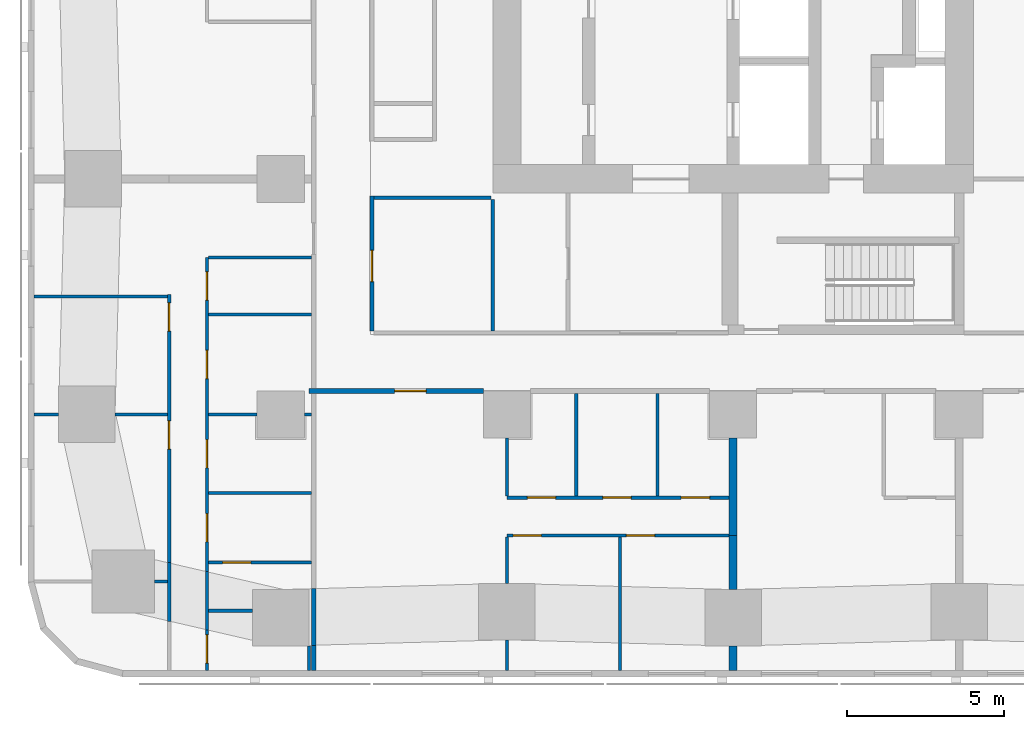
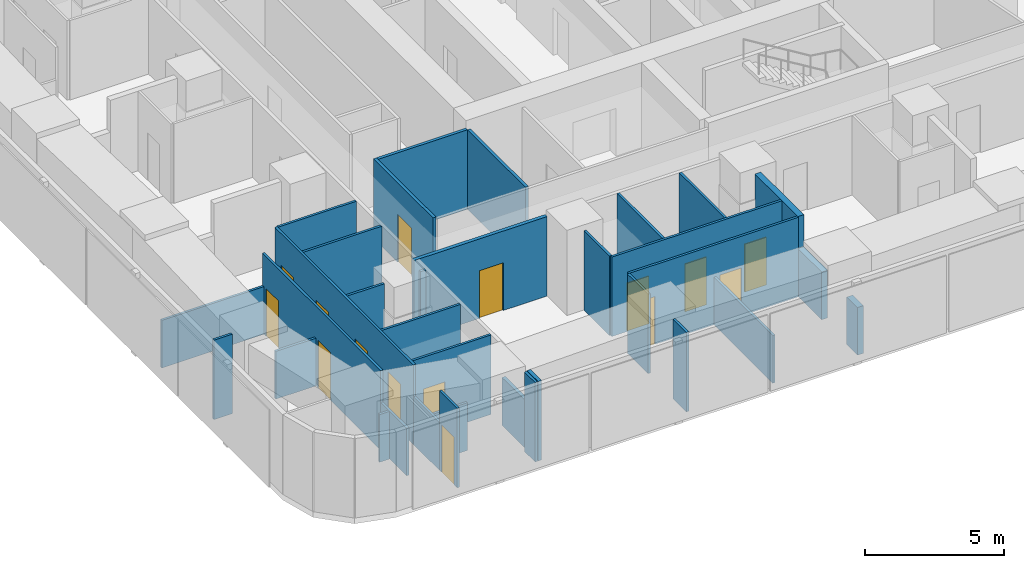
# One storey, part 2 of 15: 34 walls, 15 doors, 15 openings.
"""IFC4 building model written with IfcOpenShell, lengths in metres."""

from ifc_helpers import new_model, si_unit, direction, frame, frame_2d, origin, place, context, subcontext, project, spatial, rectangle, extrude, material, layer, layer_set, type_object, element, fill, save


model = new_model("IFC4")

# Units and contexts
model_context = context("Model", 3, precision=1e-05, world=origin(), true_north=direction((0.0, 1.0)))
body_context = subcontext(model_context, "Body", "Model", "MODEL_VIEW")
ifc_project = project(units=[si_unit("LENGTHUNIT", "METRE"), si_unit("AREAUNIT", "SQUARE_METRE"), si_unit("VOLUMEUNIT", "CUBIC_METRE"), si_unit("PLANEANGLEUNIT", "RADIAN"), si_unit("MASSUNIT", "GRAM", prefix="KILO")], contexts=[model_context])

# Site, building, storey
site_placement = place(None, origin())
site = spatial("IfcSite", under=ifc_project, at=site_placement, CompositionType="ELEMENT")
building_placement = place(site_placement, origin())
building = spatial("IfcBuilding", under=site, at=building_placement, Name="Sheger Commons Tower", CompositionType="ELEMENT")
storey_placement = place(building_placement, frame((0.0, 0.0, 177.050048828125)))
storey = spatial("IfcBuildingStorey", under=building, at=storey_placement, Name="L45", CompositionType="ELEMENT", Elevation=177.050048828125)

# Walls
ifc_material_1 = material(Name="Hollow concrete block masonry, skimmed both sides", Category="masonry")
ifc_layer_1 = layer(ifc_material_1, 0.14990234375)
ifc_layer_set_1 = layer_set([ifc_layer_1], Name="CORRIDOR WALL 150")
wall_type_1 = type_object("IfcWallType", Name="CORRIDOR WALL 150", PredefinedType="SOLIDWALL", material=ifc_layer_set_1)
wall_1_placement = place(storey_placement, frame((8.25, -0.64990234375, 0.0), z_axis=(0.0, 0.0, 1.0), x_axis=(0.0, 1.0, 0.0)))
element("IfcWall", 1, at=wall_1_placement, inside=storey, type_object=wall_type_1, Name="Corridor wall L45", PredefinedType="SOLIDWALL", context=body_context, shape_type="SweptSolid", body=[
    extrude(rectangle(XDim=0.802001953125, YDim=0.14990234375, at=frame_2d((0.40087890625, 0.0))), origin(), (0.0, 0.0, 1.0), 3.5),
])
wall_2_placement = place(storey_placement, frame((8.25, 0.152099609375, 0.0), z_axis=(0.0, 0.0, 1.0), x_axis=(0.0, 1.0, 0.0)))
element("IfcWall", 2, at=wall_2_placement, inside=storey, type_object=wall_type_1, Name="Corridor wall L45", PredefinedType="SOLIDWALL", context=body_context, shape_type="SweptSolid", body=[
    extrude(rectangle(XDim=1.804931640625, YDim=0.14990234375, at=frame_2d((0.90234375, 0.0))), origin(), (0.0, 0.0, 1.0), 2.099853515625),
])

# Wall, opening, door
wall_3_placement = place(storey_placement, frame((13.64892578125, 8.25, 0.0), z_axis=(0.0, 0.0, 1.0), x_axis=(-1.0, 0.0, 0.0)))
wall_3 = element("IfcWall", 3, at=wall_3_placement, inside=storey, type_object=wall_type_1, Name="Corridor wall L45", PredefinedType="SOLIDWALL", context=body_context, shape_type="SweptSolid", body=[
    extrude(rectangle(XDim=5.548828125, YDim=0.14990234375, at=frame_2d((2.7744140625, 0.0))), origin(), (0.0, 0.0, 1.0), 3.5),
])
opening_1_placement = place(wall_3_placement, frame((1.823974609375, 0.0, 0.0)))
opening_1 = element("IfcOpeningElement", 4, at=opening_1_placement, cuts=wall_3, Name="Opening D1", PredefinedType="OPENING", context=body_context, shape_type="SweptSolid", body=[
    extrude(rectangle(XDim=1.0, YDim=2.10009765625, at=frame_2d((0.5, 1.050048828125))), frame((0.0, 0.0849609375, 0.0), z_axis=(0.0, -1.0, 0.0), x_axis=(1.0, 0.0, 0.0)), (0.0, 0.0, 1.0), 0.169921875),
])
ifc_material_2 = material(Name="Steel door set, fire rated", Category="steel")
door_type_1 = type_object("IfcDoorType", Name="FLAT ENTRANCE DOOR 1000x2100", OperationType="NOTDEFINED", PredefinedType="DOOR", material=ifc_material_2)
door_1_placement = place(opening_1_placement, origin())
door_1 = element("IfcDoor", 5, at=door_1_placement, inside=storey, type_object=door_type_1, Name="Flat entrance door", OperationType="SINGLE_SWING_RIGHT", OverallHeight=2.10009765625, OverallWidth=1.0, PredefinedType="DOOR", context=body_context, shape_type="SweptSolid", body=[
    extrude(rectangle(XDim=1.0, YDim=2.10009765625, at=frame_2d((0.5, 1.050048828125))), frame((0.0, 0.02490234375, 0.0), z_axis=(0.0, -1.0, 0.0), x_axis=(1.0, 0.0, 0.0)), (0.0, 0.0, 1.0), 0.050048828125),
])
fill(opening_1, door_1)

# Walls
ifc_material_3 = material(Name="Dense concrete block masonry, plastered both sides (separating wall between flats)", Category="masonry")
ifc_layer_2 = layer(ifc_material_3, 0.25)
ifc_layer_set_2 = layer_set([ifc_layer_2], Name="DEMISING WALL 250")
wall_type_2 = type_object("IfcWallType", Name="DEMISING WALL 250", PredefinedType="SOLIDWALL", material=ifc_layer_set_2)
wall_4_placement = place(storey_placement, frame((21.60009765625, -0.64990234375, 0.0), z_axis=(0.0, 0.0, 1.0), x_axis=(0.0, 1.0, 0.0)))
element("IfcWall", 6, at=wall_4_placement, inside=storey, type_object=wall_type_2, Name="Demising wall L45", PredefinedType="SOLIDWALL", context=body_context, shape_type="SweptSolid", body=[
    extrude(rectangle(XDim=0.77392578125, YDim=0.25, at=frame_2d((0.386962890625, 0.0))), origin(), (0.0, 0.0, 1.0), 2.099853515625),
])
wall_5_placement = place(storey_placement, frame((21.60009765625, 1.926025390625, 0.0), z_axis=(0.0, 0.0, 1.0), x_axis=(0.0, 1.0, 0.0)))
element("IfcWall", 7, at=wall_5_placement, inside=storey, type_object=wall_type_2, Name="Demising wall L45", PredefinedType="SOLIDWALL", context=body_context, shape_type="SweptSolid", body=[
    extrude(rectangle(XDim=1.723876953125, YDim=0.25, at=frame_2d((0.86181640625, 0.0))), origin(), (0.0, 0.0, 1.0), 2.099853515625),
])
wall_6_placement = place(storey_placement, frame((21.60009765625, 3.64990234375, 0.0), z_axis=(0.0, 0.0, 1.0), x_axis=(0.0, 1.0, 0.0)))
element("IfcWall", 8, at=wall_6_placement, inside=storey, type_object=wall_type_2, Name="Demising wall L45", PredefinedType="SOLIDWALL", context=body_context, shape_type="SweptSolid", body=[
    extrude(rectangle(XDim=3.09912109375, YDim=0.25, at=frame_2d((1.549560546875, 0.0))), origin(), (0.0, 0.0, 1.0), 3.5),
])
ifc_material_4 = material(Name="Gypsum board on steel studs", Category="steel")
ifc_layer_3 = layer(ifc_material_4, 0.10009765625)
ifc_layer_set_3 = layer_set([ifc_layer_3], Name="PARTITION 100")
wall_type_3 = type_object("IfcWallType", Name="PARTITION 100", PredefinedType="PARTITIONING", material=ifc_layer_set_3)
wall_7_placement = place(storey_placement, frame((8.10009765625, 0.1240234375, 0.0), z_axis=(0.0, 0.0, 1.0), x_axis=(0.0, -1.0, 0.0)))
element("IfcWall", 9, at=wall_7_placement, inside=storey, type_object=wall_type_3, Name="Partition L45", PredefinedType="PARTITIONING", context=body_context, shape_type="SweptSolid", body=[
    extrude(rectangle(XDim=0.77392578125, YDim=0.10009765625, at=frame_2d((0.386962890625, 0.0))), origin(), (0.0, 0.0, 1.0), 3.5),
])
wall_8_placement = place(storey_placement, frame((3.64990234375, 0.912109375, 0.0), z_axis=(0.0, 0.0, 1.0), x_axis=(0.0, 1.0, 0.0)))
element("IfcWall", 10, at=wall_8_placement, inside=storey, type_object=wall_type_3, Name="Partition L45", PredefinedType="PARTITIONING", context=body_context, shape_type="SweptSolid", body=[
    extrude(rectangle(XDim=1.869873046875, YDim=0.10009765625, at=frame_2d((0.93505859375, 0.0))), origin(), (0.0, 0.0, 1.0), 2.099853515625),
])

# Wall, openings, doors
wall_9_placement = place(storey_placement, frame((3.64990234375, 2.781982421875, 0.0), z_axis=(0.0, 0.0, 1.0), x_axis=(0.0, 1.0, 0.0)))
wall_9 = element("IfcWall", 11, at=wall_9_placement, inside=storey, type_object=wall_type_3, Name="Partition L45", PredefinedType="PARTITIONING", context=body_context, shape_type="SweptSolid", body=[
    extrude(rectangle(XDim=8.541015625, YDim=0.10009765625, at=frame_2d((4.2705078125, 0.0))), origin(), (0.0, 0.0, 1.0), 3.5),
])
opening_2_placement = place(wall_9_placement, frame((7.367919921875, 0.0, 0.0)))
opening_2 = element("IfcOpeningElement", 12, at=opening_2_placement, cuts=wall_9, Name="Opening D2", PredefinedType="OPENING", context=body_context, shape_type="SweptSolid", body=[
    extrude(rectangle(XDim=0.89990234375, YDim=2.10009765625, at=frame_2d((0.449951171875, 1.050048828125))), frame((0.0, 0.06005859375, 0.0), z_axis=(0.0, -1.0, 0.0), x_axis=(1.0, 0.0, 0.0)), (0.0, 0.0, 1.0), 0.1201171875),
])
opening_3_placement = place(wall_9_placement, frame((3.617919921875, 0.0, 0.0)))
opening_3 = element("IfcOpeningElement", 13, at=opening_3_placement, cuts=wall_9, Name="Opening D2", PredefinedType="OPENING", context=body_context, shape_type="SweptSolid", body=[
    extrude(rectangle(XDim=0.89990234375, YDim=2.10009765625, at=frame_2d((0.449951171875, 1.050048828125))), frame((0.0, 0.06005859375, 0.0), z_axis=(0.0, -1.0, 0.0), x_axis=(1.0, 0.0, 0.0)), (0.0, 0.0, 1.0), 0.1201171875),
])
ifc_material_5 = material(Name="Timber door set", Category="wood")
door_type_2 = type_object("IfcDoorType", Name="INTERNAL DOOR 900x2100", OperationType="NOTDEFINED", PredefinedType="DOOR", material=ifc_material_5)
door_2_placement = place(opening_2_placement, origin())
door_2 = element("IfcDoor", 14, at=door_2_placement, inside=storey, type_object=door_type_2, Name="Main bedroom door", OperationType="SINGLE_SWING_RIGHT", OverallHeight=2.10009765625, OverallWidth=0.89990234375, PredefinedType="DOOR", context=body_context, shape_type="SweptSolid", body=[
    extrude(rectangle(XDim=0.89990234375, YDim=2.10009765625, at=frame_2d((0.449951171875, 1.050048828125))), frame((0.0, 0.02490234375, 0.0), z_axis=(0.0, -1.0, 0.0), x_axis=(1.0, 0.0, 0.0)), (0.0, 0.0, 1.0), 0.050048828125),
])
fill(opening_2, door_2)
door_3_placement = place(opening_3_placement, origin())
door_3 = element("IfcDoor", 15, at=door_3_placement, inside=storey, type_object=door_type_2, Name="Bedroom 2 door", OperationType="SINGLE_SWING_RIGHT", OverallHeight=2.10009765625, OverallWidth=0.89990234375, PredefinedType="DOOR", context=body_context, shape_type="SweptSolid", body=[
    extrude(rectangle(XDim=0.89990234375, YDim=2.10009765625, at=frame_2d((0.449951171875, 1.050048828125))), frame((0.0, 0.02490234375, 0.0), z_axis=(0.0, -1.0, 0.0), x_axis=(1.0, 0.0, 0.0)), (0.0, 0.0, 1.0), 0.050048828125),
])
fill(opening_3, door_3)

# Wall, opening, door
wall_10_placement = place(storey_placement, frame((4.85009765625, -0.64990234375, 0.0), z_axis=(0.0, 0.0, 1.0), x_axis=(0.0, 1.0, 0.0)))
wall_10 = element("IfcWall", 16, at=wall_10_placement, inside=storey, type_object=wall_type_3, Name="Partition L45", PredefinedType="PARTITIONING", context=body_context, shape_type="SweptSolid", body=[
    extrude(rectangle(XDim=1.283935546875, YDim=0.10009765625, at=frame_2d((0.64208984375, 0.0))), origin(), (0.0, 0.0, 1.0), 3.5),
])
opening_4_placement = place(wall_10_placement, frame((0.23388671875, 0.0, 0.0)))
opening_4 = element("IfcOpeningElement", 17, at=opening_4_placement, cuts=wall_10, Name="Opening D2", PredefinedType="OPENING", context=body_context, shape_type="SweptSolid", body=[
    extrude(rectangle(XDim=0.89990234375, YDim=2.10009765625, at=frame_2d((0.449951171875, 1.050048828125))), frame((0.0, 0.06005859375, 0.0), z_axis=(0.0, -1.0, 0.0), x_axis=(1.0, 0.0, 0.0)), (0.0, 0.0, 1.0), 0.1201171875),
])
door_4_placement = place(opening_4_placement, origin())
door_4 = element("IfcDoor", 18, at=door_4_placement, inside=storey, type_object=door_type_2, Name="Store and laundry door", OperationType="SINGLE_SWING_LEFT", OverallHeight=2.10009765625, OverallWidth=0.89990234375, PredefinedType="DOOR", context=body_context, shape_type="SweptSolid", body=[
    extrude(rectangle(XDim=0.89990234375, YDim=2.10009765625, at=frame_2d((0.449951171875, 1.050048828125))), frame((0.0, 0.02490234375, 0.0), z_axis=(0.0, -1.0, 0.0), x_axis=(1.0, 0.0, 0.0)), (0.0, 0.0, 1.0), 0.050048828125),
])
fill(opening_4, door_4)

# Wall
wall_11_placement = place(storey_placement, frame((4.85009765625, 0.634033203125, 0.0), z_axis=(0.0, 0.0, 1.0), x_axis=(0.0, 1.0, 0.0)))
element("IfcWall", 19, at=wall_11_placement, inside=storey, type_object=wall_type_3, Name="Partition L45", PredefinedType="PARTITIONING", context=body_context, shape_type="SweptSolid", body=[
    extrude(rectangle(XDim=1.870849609375, YDim=0.10009765625, at=frame_2d((0.935546875, 0.0))), origin(), (0.0, 0.0, 1.0), 2.099853515625),
])

# Wall, openings, doors
wall_12_placement = place(storey_placement, frame((4.85009765625, 2.5048828125, 0.0), z_axis=(0.0, 0.0, 1.0), x_axis=(0.0, 1.0, 0.0)))
wall_12 = element("IfcWall", 20, at=wall_12_placement, inside=storey, type_object=wall_type_3, Name="Partition L45", PredefinedType="PARTITIONING", context=body_context, shape_type="SweptSolid", body=[
    extrude(rectangle(XDim=9.994140625, YDim=0.10009765625, at=frame_2d((4.9970703125, 0.0))), origin(), (0.0, 0.0, 1.0), 3.5),
])
opening_5_placement = place(wall_12_placement, frame((8.634033203125, 0.0, 0.0)))
opening_5 = element("IfcOpeningElement", 21, at=opening_5_placement, cuts=wall_12, Name="Opening D2", PredefinedType="OPENING", context=body_context, shape_type="SweptSolid", body=[
    extrude(rectangle(XDim=0.89990234375, YDim=2.10009765625, at=frame_2d((0.449951171875, 1.050048828125))), frame((0.0, 0.06005859375, 0.0), z_axis=(0.0, -1.0, 0.0), x_axis=(1.0, 0.0, 0.0)), (0.0, 0.0, 1.0), 0.1201171875),
])
opening_6_placement = place(wall_12_placement, frame((3.2939453125, 0.0, 0.0)))
opening_6 = element("IfcOpeningElement", 22, at=opening_6_placement, cuts=wall_12, Name="Opening D2", PredefinedType="OPENING", context=body_context, shape_type="SweptSolid", body=[
    extrude(rectangle(XDim=0.89990234375, YDim=2.10009765625, at=frame_2d((0.449951171875, 1.050048828125))), frame((0.0, 0.06005859375, 0.0), z_axis=(0.0, -1.0, 0.0), x_axis=(1.0, 0.0, 0.0)), (0.0, 0.0, 1.0), 0.1201171875),
])
opening_7_placement = place(wall_12_placement, frame((0.93896484375, 0.0, 0.0)))
opening_7 = element("IfcOpeningElement", 23, at=opening_7_placement, cuts=wall_12, Name="Opening D2", PredefinedType="OPENING", context=body_context, shape_type="SweptSolid", body=[
    extrude(rectangle(XDim=0.89990234375, YDim=2.10009765625, at=frame_2d((0.449951171875, 1.050048828125))), frame((0.0, 0.06005859375, 0.0), z_axis=(0.0, -1.0, 0.0), x_axis=(1.0, 0.0, 0.0)), (0.0, 0.0, 1.0), 0.1201171875),
])
opening_8_placement = place(wall_12_placement, frame((6.135009765625, 0.0, 0.0)))
opening_8 = element("IfcOpeningElement", 24, at=opening_8_placement, cuts=wall_12, Name="Opening D2", PredefinedType="OPENING", context=body_context, shape_type="SweptSolid", body=[
    extrude(rectangle(XDim=0.89990234375, YDim=2.10009765625, at=frame_2d((0.449951171875, 1.050048828125))), frame((0.0, 0.06005859375, 0.0), z_axis=(0.0, -1.0, 0.0), x_axis=(1.0, 0.0, 0.0)), (0.0, 0.0, 1.0), 0.1201171875),
])
door_5_placement = place(opening_5_placement, origin())
door_5 = element("IfcDoor", 25, at=door_5_placement, inside=storey, type_object=door_type_2, Name="Laundry room door", OperationType="SINGLE_SWING_LEFT", OverallHeight=2.10009765625, OverallWidth=0.89990234375, PredefinedType="DOOR", context=body_context, shape_type="SweptSolid", body=[
    extrude(rectangle(XDim=0.89990234375, YDim=2.10009765625, at=frame_2d((0.449951171875, 1.050048828125))), frame((0.0, 0.02490234375, 0.0), z_axis=(0.0, -1.0, 0.0), x_axis=(1.0, 0.0, 0.0)), (0.0, 0.0, 1.0), 0.050048828125),
])
fill(opening_5, door_5)
door_6_placement = place(opening_6_placement, origin())
door_6 = element("IfcDoor", 26, at=door_6_placement, inside=storey, type_object=door_type_2, Name="Laundry room door", OperationType="SINGLE_SWING_RIGHT", OverallHeight=2.10009765625, OverallWidth=0.89990234375, PredefinedType="DOOR", context=body_context, shape_type="SweptSolid", body=[
    extrude(rectangle(XDim=0.89990234375, YDim=2.10009765625, at=frame_2d((0.449951171875, 1.050048828125))), frame((0.0, 0.02490234375, 0.0), z_axis=(0.0, -1.0, 0.0), x_axis=(1.0, 0.0, 0.0)), (0.0, 0.0, 1.0), 0.050048828125),
])
fill(opening_6, door_6)
door_7_placement = place(opening_7_placement, origin())
door_7 = element("IfcDoor", 27, at=door_7_placement, inside=storey, type_object=door_type_2, Name="Bathroom door", OperationType="SINGLE_SWING_RIGHT", OverallHeight=2.10009765625, OverallWidth=0.89990234375, PredefinedType="DOOR", context=body_context, shape_type="SweptSolid", body=[
    extrude(rectangle(XDim=0.89990234375, YDim=2.10009765625, at=frame_2d((0.449951171875, 1.050048828125))), frame((0.0, 0.02490234375, 0.0), z_axis=(0.0, -1.0, 0.0), x_axis=(1.0, 0.0, 0.0)), (0.0, 0.0, 1.0), 0.050048828125),
])
fill(opening_7, door_7)
door_8_placement = place(opening_8_placement, origin())
door_8 = element("IfcDoor", 28, at=door_8_placement, inside=storey, type_object=door_type_2, Name="Store door", OperationType="SINGLE_SWING_LEFT", OverallHeight=2.10009765625, OverallWidth=0.89990234375, PredefinedType="DOOR", context=body_context, shape_type="SweptSolid", body=[
    extrude(rectangle(XDim=0.89990234375, YDim=2.10009765625, at=frame_2d((0.449951171875, 1.050048828125))), frame((0.0, 0.02490234375, 0.0), z_axis=(0.0, -1.0, 0.0), x_axis=(1.0, 0.0, 0.0)), (0.0, 0.0, 1.0), 0.050048828125),
])
fill(opening_8, door_8)

# Walls
wall_13_placement = place(storey_placement, frame((3.18701171875, 2.18603515625, 0.0), z_axis=(0.0, 0.0, 1.0), x_axis=(1.0, 0.0, 0.0)))
element("IfcWall", 29, at=wall_13_placement, inside=storey, type_object=wall_type_3, Name="Partition L45", PredefinedType="PARTITIONING", context=body_context, shape_type="SweptSolid", body=[
    extrude(rectangle(XDim=0.4130859375, YDim=0.10009765625, at=frame_2d((0.20654296875, 0.0))), origin(), (0.0, 0.0, 1.0), 2.099853515625),
])
wall_14_placement = place(storey_placement, frame((-0.64990234375, 7.5, 0.0), z_axis=(0.0, 0.0, 1.0), x_axis=(1.0, 0.0, 0.0)))
element("IfcWall", 30, at=wall_14_placement, inside=storey, type_object=wall_type_3, Name="Partition L45", PredefinedType="PARTITIONING", context=body_context, shape_type="SweptSolid", body=[
    extrude(rectangle(XDim=0.77392578125, YDim=0.10009765625, at=frame_2d((0.386962890625, 0.0))), origin(), (0.0, 0.0, 1.0), 3.5),
])
wall_15_placement = place(storey_placement, frame((1.926025390625, 7.5, 0.0), z_axis=(0.0, 0.0, 1.0), x_axis=(1.0, 0.0, 0.0)))
element("IfcWall", 31, at=wall_15_placement, inside=storey, type_object=wall_type_3, Name="Partition L45", PredefinedType="PARTITIONING", context=body_context, shape_type="SweptSolid", body=[
    extrude(rectangle(XDim=1.674072265625, YDim=0.10009765625, at=frame_2d((0.8369140625, 0.0))), origin(), (0.0, 0.0, 1.0), 2.099853515625),
])
wall_16_placement = place(storey_placement, frame((-0.64990234375, 11.25, 0.0), z_axis=(0.0, 0.0, 1.0), x_axis=(1.0, 0.0, 0.0)))
element("IfcWall", 32, at=wall_16_placement, inside=storey, type_object=wall_type_3, Name="Partition L45", PredefinedType="PARTITIONING", context=body_context, shape_type="SweptSolid", body=[
    extrude(rectangle(XDim=4.25, YDim=0.10009765625, at=frame_2d((2.125, 0.0))), origin(), (0.0, 0.0, 1.0), 2.099853515625),
])
wall_17_placement = place(storey_placement, frame((4.89990234375, 4.9990234375, 0.0), z_axis=(0.0, 0.0, 1.0), x_axis=(1.0, 0.0, 0.0)))
element("IfcWall", 33, at=wall_17_placement, inside=storey, type_object=wall_type_3, Name="Partition L45", PredefinedType="PARTITIONING", context=body_context, shape_type="SweptSolid", body=[
    extrude(rectangle(XDim=3.275146484375, YDim=0.10009765625, at=frame_2d((1.6376953125, 0.0))), origin(), (0.0, 0.0, 1.0), 3.5),
])
wall_18_placement = place(storey_placement, frame((4.89990234375, 7.5, 0.0), z_axis=(0.0, 0.0, 1.0), x_axis=(1.0, 0.0, 0.0)))
element("IfcWall", 34, at=wall_18_placement, inside=storey, type_object=wall_type_3, Name="Partition L45", PredefinedType="PARTITIONING", context=body_context, shape_type="SweptSolid", body=[
    extrude(rectangle(XDim=1.549072265625, YDim=0.10009765625, at=frame_2d((0.7744140625, 0.0))), origin(), (0.0, 0.0, 1.0), 3.5),
])
wall_19_placement = place(storey_placement, frame((7.950927734375, 7.5, 0.0), z_axis=(0.0, 0.0, 1.0), x_axis=(1.0, 0.0, 0.0)))
element("IfcWall", 35, at=wall_19_placement, inside=storey, type_object=wall_type_3, Name="Partition L45", PredefinedType="PARTITIONING", context=body_context, shape_type="SweptSolid", body=[
    extrude(rectangle(XDim=0.22412109375, YDim=0.10009765625, at=frame_2d((0.112060546875, 0.0))), origin(), (0.0, 0.0, 1.0), 3.5),
])
wall_20_placement = place(storey_placement, frame((4.89990234375, 12.4990234375, 0.0), z_axis=(0.0, 0.0, 1.0), x_axis=(1.0, 0.0, 0.0)))
element("IfcWall", 36, at=wall_20_placement, inside=storey, type_object=wall_type_3, Name="Partition L45", PredefinedType="PARTITIONING", context=body_context, shape_type="SweptSolid", body=[
    extrude(rectangle(XDim=3.275146484375, YDim=0.10009765625, at=frame_2d((1.6376953125, 0.0))), origin(), (0.0, 0.0, 1.0), 3.5),
])
wall_21_placement = place(storey_placement, frame((4.89990234375, 1.2490234375, 0.0), z_axis=(0.0, 0.0, 1.0), x_axis=(1.0, 0.0, 0.0)))
element("IfcWall", 37, at=wall_21_placement, inside=storey, type_object=wall_type_3, Name="Partition L45", PredefinedType="PARTITIONING", context=body_context, shape_type="SweptSolid", body=[
    extrude(rectangle(XDim=1.399169921875, YDim=0.10009765625, at=frame_2d((0.69970703125, 0.0))), origin(), (0.0, 0.0, 1.0), 2.099853515625),
])
wall_22_placement = place(storey_placement, frame((4.89990234375, 10.678955078125, 0.0), z_axis=(0.0, 0.0, 1.0), x_axis=(1.0, 0.0, 0.0)))
element("IfcWall", 38, at=wall_22_placement, inside=storey, type_object=wall_type_3, Name="Partition L45", PredefinedType="PARTITIONING", context=body_context, shape_type="SweptSolid", body=[
    extrude(rectangle(XDim=3.275146484375, YDim=0.10009765625, at=frame_2d((1.6376953125, 0.0))), origin(), (0.0, 0.0, 1.0), 3.5),
])

# Wall, opening, door
wall_23_placement = place(storey_placement, frame((4.89990234375, 2.7890625, 0.0), z_axis=(0.0, 0.0, 1.0), x_axis=(1.0, 0.0, 0.0)))
wall_23 = element("IfcWall", 39, at=wall_23_placement, inside=storey, type_object=wall_type_3, Name="Partition L45", PredefinedType="PARTITIONING", context=body_context, shape_type="SweptSolid", body=[
    extrude(rectangle(XDim=3.275146484375, YDim=0.10009765625, at=frame_2d((1.6376953125, 0.0))), origin(), (0.0, 0.0, 1.0), 3.5),
])
opening_9_placement = place(wall_23_placement, frame((0.449951171875, 0.0, 0.0)))
opening_9 = element("IfcOpeningElement", 40, at=opening_9_placement, cuts=wall_23, Name="Opening D2", PredefinedType="OPENING", context=body_context, shape_type="SweptSolid", body=[
    extrude(rectangle(XDim=0.89990234375, YDim=2.10009765625, at=frame_2d((0.449951171875, 1.050048828125))), frame((0.0, 0.06005859375, 0.0), z_axis=(0.0, -1.0, 0.0), x_axis=(1.0, 0.0, 0.0)), (0.0, 0.0, 1.0), 0.1201171875),
])
door_9_placement = place(opening_9_placement, origin())
door_9 = element("IfcDoor", 41, at=door_9_placement, inside=storey, type_object=door_type_2, Name="Linen store door", OperationType="SINGLE_SWING_RIGHT", OverallHeight=2.10009765625, OverallWidth=0.89990234375, PredefinedType="DOOR", context=body_context, shape_type="SweptSolid", body=[
    extrude(rectangle(XDim=0.89990234375, YDim=2.10009765625, at=frame_2d((0.449951171875, 1.050048828125))), frame((0.0, 0.02490234375, 0.0), z_axis=(0.0, -1.0, 0.0), x_axis=(1.0, 0.0, 0.0)), (0.0, 0.0, 1.0), 0.050048828125),
])
fill(opening_9, door_9)

# Wall, openings, doors
wall_24_placement = place(storey_placement, frame((21.47509765625, 3.64990234375, 0.0), z_axis=(0.0, 0.0, 1.0), x_axis=(-1.0, 0.0, 0.0)))
wall_24 = element("IfcWall", 42, at=wall_24_placement, inside=storey, type_object=wall_type_3, Name="Partition L45", PredefinedType="PARTITIONING", context=body_context, shape_type="SweptSolid", body=[
    extrude(rectangle(XDim=7.0751953125, YDim=0.10009765625, at=frame_2d((3.53759765625, 0.0))), origin(), (0.0, 0.0, 1.0), 3.5),
])
opening_10_placement = place(wall_24_placement, frame((5.97509765625, 0.0, 0.0)))
opening_10 = element("IfcOpeningElement", 43, at=opening_10_placement, cuts=wall_24, Name="Opening D2", PredefinedType="OPENING", context=body_context, shape_type="SweptSolid", body=[
    extrude(rectangle(XDim=0.89990234375, YDim=2.10009765625, at=frame_2d((0.449951171875, 1.050048828125))), frame((0.0, 0.06005859375, 0.0), z_axis=(0.0, -1.0, 0.0), x_axis=(1.0, 0.0, 0.0)), (0.0, 0.0, 1.0), 0.1201171875),
])
opening_11_placement = place(wall_24_placement, frame((2.375, 0.0, 0.0)))
opening_11 = element("IfcOpeningElement", 44, at=opening_11_placement, cuts=wall_24, Name="Opening D2", PredefinedType="OPENING", context=body_context, shape_type="SweptSolid", body=[
    extrude(rectangle(XDim=0.89990234375, YDim=2.10009765625, at=frame_2d((0.449951171875, 1.050048828125))), frame((0.0, 0.06005859375, 0.0), z_axis=(0.0, -1.0, 0.0), x_axis=(1.0, 0.0, 0.0)), (0.0, 0.0, 1.0), 0.1201171875),
])
door_10_placement = place(opening_10_placement, origin())
door_10 = element("IfcDoor", 45, at=door_10_placement, inside=storey, type_object=door_type_2, Name="Main bedroom door", OperationType="SINGLE_SWING_RIGHT", OverallHeight=2.10009765625, OverallWidth=0.89990234375, PredefinedType="DOOR", context=body_context, shape_type="SweptSolid", body=[
    extrude(rectangle(XDim=0.89990234375, YDim=2.10009765625, at=frame_2d((0.449951171875, 1.050048828125))), frame((0.0, 0.02490234375, 0.0), z_axis=(0.0, -1.0, 0.0), x_axis=(1.0, 0.0, 0.0)), (0.0, 0.0, 1.0), 0.050048828125),
])
fill(opening_10, door_10)
door_11_placement = place(opening_11_placement, origin())
door_11 = element("IfcDoor", 46, at=door_11_placement, inside=storey, type_object=door_type_2, Name="Bedroom 2 door", OperationType="SINGLE_SWING_RIGHT", OverallHeight=2.10009765625, OverallWidth=0.89990234375, PredefinedType="DOOR", context=body_context, shape_type="SweptSolid", body=[
    extrude(rectangle(XDim=0.89990234375, YDim=2.10009765625, at=frame_2d((0.449951171875, 1.050048828125))), frame((0.0, 0.02490234375, 0.0), z_axis=(0.0, -1.0, 0.0), x_axis=(1.0, 0.0, 0.0)), (0.0, 0.0, 1.0), 0.050048828125),
])
fill(opening_11, door_11)

wall_25_placement = place(storey_placement, frame((21.47509765625, 4.85009765625, 0.0), z_axis=(0.0, 0.0, 1.0), x_axis=(-1.0, 0.0, 0.0)))
wall_25 = element("IfcWall", 47, at=wall_25_placement, inside=storey, type_object=wall_type_3, Name="Partition L45", PredefinedType="PARTITIONING", context=body_context, shape_type="SweptSolid", body=[
    extrude(rectangle(XDim=7.0751953125, YDim=0.10009765625, at=frame_2d((3.53759765625, 0.0))), origin(), (0.0, 0.0, 1.0), 3.5),
])
opening_12_placement = place(wall_25_placement, frame((5.52001953125, 0.0, 0.0)))
opening_12 = element("IfcOpeningElement", 48, at=opening_12_placement, cuts=wall_25, Name="Opening D2", PredefinedType="OPENING", context=body_context, shape_type="SweptSolid", body=[
    extrude(rectangle(XDim=0.89990234375, YDim=2.10009765625, at=frame_2d((0.449951171875, 1.050048828125))), frame((0.0, 0.06005859375, 0.0), z_axis=(0.0, -1.0, 0.0), x_axis=(1.0, 0.0, 0.0)), (0.0, 0.0, 1.0), 0.1201171875),
])
opening_13_placement = place(wall_25_placement, frame((0.625, 0.0, 0.0)))
opening_13 = element("IfcOpeningElement", 49, at=opening_13_placement, cuts=wall_25, Name="Opening D2", PredefinedType="OPENING", context=body_context, shape_type="SweptSolid", body=[
    extrude(rectangle(XDim=0.89990234375, YDim=2.10009765625, at=frame_2d((0.449951171875, 1.050048828125))), frame((0.0, 0.06005859375, 0.0), z_axis=(0.0, -1.0, 0.0), x_axis=(1.0, 0.0, 0.0)), (0.0, 0.0, 1.0), 0.1201171875),
])
opening_14_placement = place(wall_25_placement, frame((3.12109375, 0.0, 0.0)))
opening_14 = element("IfcOpeningElement", 50, at=opening_14_placement, cuts=wall_25, Name="Opening D2", PredefinedType="OPENING", context=body_context, shape_type="SweptSolid", body=[
    extrude(rectangle(XDim=0.89990234375, YDim=2.10009765625, at=frame_2d((0.449951171875, 1.050048828125))), frame((0.0, 0.06005859375, 0.0), z_axis=(0.0, -1.0, 0.0), x_axis=(1.0, 0.0, 0.0)), (0.0, 0.0, 1.0), 0.1201171875),
])
door_12_placement = place(opening_12_placement, origin())
door_12 = element("IfcDoor", 51, at=door_12_placement, inside=storey, type_object=door_type_2, Name="Bathroom door", OperationType="SINGLE_SWING_LEFT", OverallHeight=2.10009765625, OverallWidth=0.89990234375, PredefinedType="DOOR", context=body_context, shape_type="SweptSolid", body=[
    extrude(rectangle(XDim=0.89990234375, YDim=2.10009765625, at=frame_2d((0.449951171875, 1.050048828125))), frame((0.0, 0.02490234375, 0.0), z_axis=(0.0, -1.0, 0.0), x_axis=(1.0, 0.0, 0.0)), (0.0, 0.0, 1.0), 0.050048828125),
])
fill(opening_12, door_12)
door_13_placement = place(opening_13_placement, origin())
door_13 = element("IfcDoor", 52, at=door_13_placement, inside=storey, type_object=door_type_2, Name="Laundry room door", OperationType="SINGLE_SWING_RIGHT", OverallHeight=2.10009765625, OverallWidth=0.89990234375, PredefinedType="DOOR", context=body_context, shape_type="SweptSolid", body=[
    extrude(rectangle(XDim=0.89990234375, YDim=2.10009765625, at=frame_2d((0.449951171875, 1.050048828125))), frame((0.0, 0.02490234375, 0.0), z_axis=(0.0, -1.0, 0.0), x_axis=(1.0, 0.0, 0.0)), (0.0, 0.0, 1.0), 0.050048828125),
])
fill(opening_13, door_13)
door_14_placement = place(opening_14_placement, origin())
door_14 = element("IfcDoor", 53, at=door_14_placement, inside=storey, type_object=door_type_2, Name="Store door", OperationType="SINGLE_SWING_LEFT", OverallHeight=2.10009765625, OverallWidth=0.89990234375, PredefinedType="DOOR", context=body_context, shape_type="SweptSolid", body=[
    extrude(rectangle(XDim=0.89990234375, YDim=2.10009765625, at=frame_2d((0.449951171875, 1.050048828125))), frame((0.0, 0.02490234375, 0.0), z_axis=(0.0, -1.0, 0.0), x_axis=(1.0, 0.0, 0.0)), (0.0, 0.0, 1.0), 0.050048828125),
])
fill(opening_14, door_14)

# Walls
wall_26_placement = place(storey_placement, frame((14.39990234375, -0.64990234375, 0.0), z_axis=(0.0, 0.0, 1.0), x_axis=(0.0, 1.0, 0.0)))
element("IfcWall", 54, at=wall_26_placement, inside=storey, type_object=wall_type_3, Name="Partition L45", PredefinedType="PARTITIONING", context=body_context, shape_type="SweptSolid", body=[
    extrude(rectangle(XDim=0.973876953125, YDim=0.10009765625, at=frame_2d((0.48681640625, 0.0))), origin(), (0.0, 0.0, 1.0), 3.5),
])
wall_27_placement = place(storey_placement, frame((14.39990234375, 2.1259765625, 0.0), z_axis=(0.0, 0.0, 1.0), x_axis=(0.0, 1.0, 0.0)))
element("IfcWall", 55, at=wall_27_placement, inside=storey, type_object=wall_type_3, Name="Partition L45", PredefinedType="PARTITIONING", context=body_context, shape_type="SweptSolid", body=[
    extrude(rectangle(XDim=1.47412109375, YDim=0.10009765625, at=frame_2d((0.737060546875, 0.0))), origin(), (0.0, 0.0, 1.0), 3.5),
])
wall_28_placement = place(storey_placement, frame((18.0, -0.64990234375, 0.0), z_axis=(0.0, 0.0, 1.0), x_axis=(0.0, 1.0, 0.0)))
element("IfcWall", 56, at=wall_28_placement, inside=storey, type_object=wall_type_3, Name="Partition L45", PredefinedType="PARTITIONING", context=body_context, shape_type="SweptSolid", body=[
    extrude(rectangle(XDim=4.25, YDim=0.10009765625, at=frame_2d((2.125, 0.0))), origin(), (0.0, 0.0, 1.0), 2.099853515625),
])
wall_29_placement = place(storey_placement, frame((14.39990234375, 4.89990234375, 0.0), z_axis=(0.0, 0.0, 1.0), x_axis=(0.0, 1.0, 0.0)))
element("IfcWall", 57, at=wall_29_placement, inside=storey, type_object=wall_type_3, Name="Partition L45", PredefinedType="PARTITIONING", context=body_context, shape_type="SweptSolid", body=[
    extrude(rectangle(XDim=1.84912109375, YDim=0.10009765625, at=frame_2d((0.924560546875, 0.0))), origin(), (0.0, 0.0, 1.0), 3.5),
])
for number, where, z_axis, x_axis, name in (
    (58, (19.198974609375, 4.89990234375, 0.0), (0.0, 0.0, 1.0), (0.0, 1.0, 0.0), "Partition L45"),
    (59, (16.610107421875, 4.89990234375, 0.0), (0.0, 0.0, 1.0), (0.0, 1.0, 0.0), "Partition L45"),
):
    element("IfcWall", number, at=place(storey_placement, frame(where, z_axis=z_axis, x_axis=x_axis)), inside=storey, type_object=wall_type_3, Name=name, PredefinedType="PARTITIONING", context=body_context, shape_type="SweptSolid", body=[
        extrude(rectangle(XDim=3.275146484375, YDim=0.10009765625, at=frame_2d((1.6376953125, 0.0))), origin(), (0.0, 0.0, 1.0), 3.5),
    ])

# Wall, opening, door
ifc_material_6 = material(Name="Gypsum board on steel studs, two layers each side, fire rated", Category="steel")
ifc_layer_4 = layer(ifc_material_6, 0.125)
ifc_layer_set_4 = layer_set([ifc_layer_4], Name="SERVICE WALL 125")
wall_type_4 = type_object("IfcWallType", Name="SERVICE WALL 125", PredefinedType="PARTITIONING", material=ifc_layer_set_4)
wall_30_placement = place(storey_placement, frame((10.10009765625, 10.162109375, 0.0), z_axis=(0.0, 0.0, 1.0), x_axis=(0.0, 1.0, 0.0)))
wall_30 = element("IfcWall", 60, at=wall_30_placement, inside=storey, type_object=wall_type_4, Name="Service room wall L45", PredefinedType="PARTITIONING", context=body_context, shape_type="SweptSolid", body=[
    extrude(rectangle(XDim=4.287841796875, YDim=0.125, at=frame_2d((2.14404296875, 0.0))), origin(), (0.0, 0.0, 1.0), 3.5),
])
opening_15_placement = place(wall_30_placement, frame((1.56298828125, 0.0, 0.0)))
opening_15 = element("IfcOpeningElement", 61, at=opening_15_placement, cuts=wall_30, Name="Opening D4", PredefinedType="OPENING", context=body_context, shape_type="SweptSolid", body=[
    extrude(rectangle(XDim=1.0, YDim=2.10009765625, at=frame_2d((0.5, 1.050048828125))), frame((0.0, 0.072509765625, 0.0), z_axis=(0.0, -1.0, 0.0), x_axis=(1.0, 0.0, 0.0)), (0.0, 0.0, 1.0), 0.14501953125),
])
ifc_material_7 = material(Name="Steel door set, fire rated", Category="steel")
door_type_3 = type_object("IfcDoorType", Name="SERVICE DOOR 1000x2100", OperationType="NOTDEFINED", PredefinedType="DOOR", material=ifc_material_7)
door_15_placement = place(opening_15_placement, origin())
door_15 = element("IfcDoor", 62, at=door_15_placement, inside=storey, type_object=door_type_3, Name="Refuse chute room door", OperationType="SINGLE_SWING_RIGHT", OverallHeight=2.10009765625, OverallWidth=1.0, PredefinedType="DOOR", context=body_context, shape_type="SweptSolid", body=[
    extrude(rectangle(XDim=1.0, YDim=2.10009765625, at=frame_2d((0.5, 1.050048828125))), frame((0.0, 0.02490234375, 0.0), z_axis=(0.0, -1.0, 0.0), x_axis=(1.0, 0.0, 0.0)), (0.0, 0.0, 1.0), 0.050048828125),
])
fill(opening_15, door_15)

# Walls
wall_31_placement = place(storey_placement, frame((10.162109375, 14.39990234375, 0.0), z_axis=(0.0, 0.0, 1.0), x_axis=(1.0, 0.0, 0.0)))
element("IfcWall", 63, at=wall_31_placement, inside=storey, type_object=wall_type_4, Name="Service room wall L45", PredefinedType="PARTITIONING", context=body_context, shape_type="SweptSolid", body=[
    extrude(rectangle(XDim=3.725830078125, YDim=0.125, at=frame_2d((1.86279296875, 0.0))), origin(), (0.0, 0.0, 1.0), 3.5),
])
wall_32_placement = place(storey_placement, frame((13.949951171875, 10.1630859375, 0.0), z_axis=(0.0, 0.0, 1.0), x_axis=(0.0, 1.0, 0.0)))
element("IfcWall", 64, at=wall_32_placement, inside=storey, type_object=wall_type_4, Name="Service room wall L45", PredefinedType="PARTITIONING", context=body_context, shape_type="SweptSolid", body=[
    extrude(rectangle(XDim=4.1748046875, YDim=0.125, at=frame_2d((2.08740234375, 0.0))), origin(), (0.0, 0.0, 1.0), 3.5),
])

save(model, "model.ifc")
